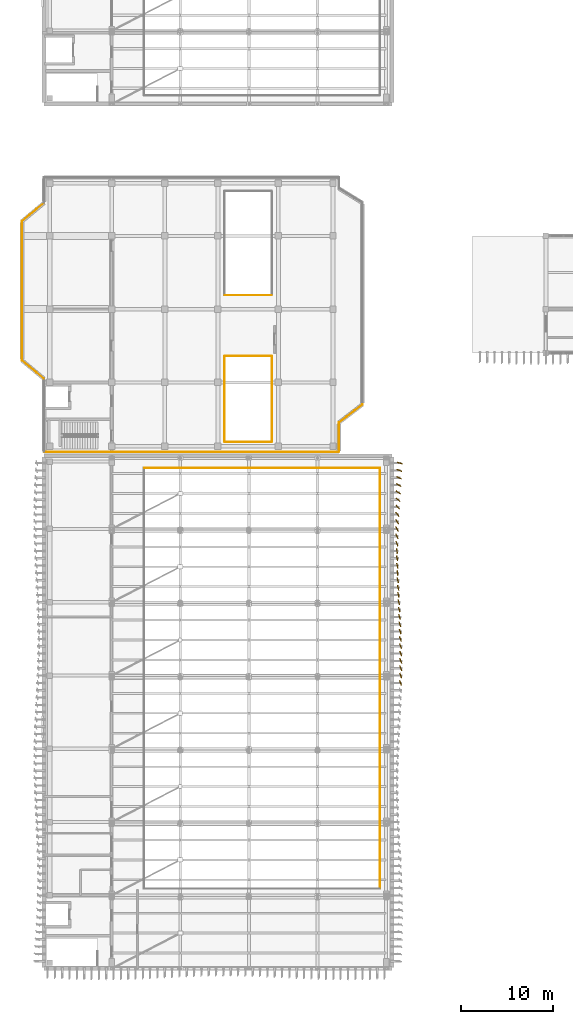
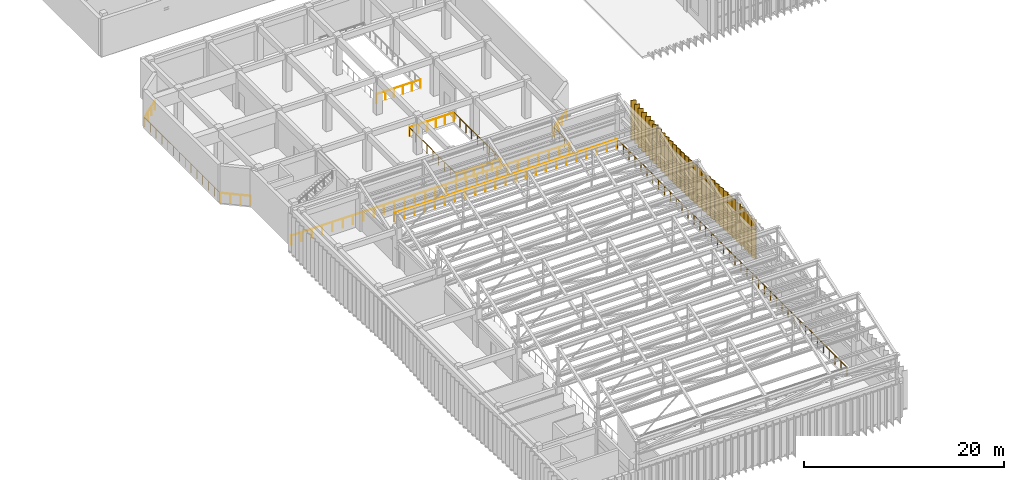
# One storey, part 67 of 76: 31 coverings, 13 railings.
"""IFC4 building model written with IfcOpenShell, lengths in metres."""

from ifc_helpers import new_model, si_unit, direction, frame, origin, origin_2d, place, context, subcontext, project, spatial, rectangle, circle, extrude, material, layer, layer_set, type_object, element, save


model = new_model("IFC4")

# Units and contexts
model_context = context("Model", 3, precision=1e-05, world=origin(), true_north=direction((0.0, 1.0)))
body_context = subcontext(model_context, "Body", "Model", "MODEL_VIEW")
ifc_project = project(units=[si_unit("LENGTHUNIT", "METRE"), si_unit("AREAUNIT", "SQUARE_METRE"), si_unit("VOLUMEUNIT", "CUBIC_METRE"), si_unit("PLANEANGLEUNIT", "RADIAN"), si_unit("MASSUNIT", "GRAM", prefix="KILO")], contexts=[model_context])

# Site, building, storey
site_placement = place(None, origin())
site = spatial("IfcSite", under=ifc_project, at=site_placement, CompositionType="ELEMENT")
building_placement = place(site_placement, origin())
building = spatial("IfcBuilding", under=site, at=building_placement, Name="Cinchona Park Media Centre", CompositionType="ELEMENT")
storey_placement = place(building_placement, frame((0.0, 0.0, 15.60009765625)))
storey = spatial("IfcBuildingStorey", under=building, at=storey_placement, Name="L03", CompositionType="ELEMENT", Elevation=15.60009765625)

# Coverings
ifc_material_1 = material(Name="Anodised Storm-Resistant Aluminium Fin", Category="aluminium")
ifc_layer = layer(ifc_material_1, 0.090087890625)
ifc_layer_set = layer_set([ifc_layer], Name="Anodised Storm-Resistant Aluminium Fin")
covering_type = type_object("IfcCoveringType", Name="CLADDING-FIN01", PredefinedType="CLADDING", material=ifc_layer_set)
for number, where, z_axis, x_axis, name in (
    (1, (46.931884765625, 38.800048828125, 0.0), (0.0, 0.0, 1.0), (-0.345298198999, 0.93849302276, 0.0), "Twisting Vertical Facade Fin L03"),
    (2, (46.947998046875, 39.60009765625, 0.0), (0.0, 0.0, 1.0), (-0.352984997999, 0.935628981588, 0.0), "Twisting Vertical Facade Fin L03"),
    (3, (46.9580078125, 40.39990234375, 0.0), (0.0, 0.0, 1.0), (-0.35739011009, 0.933955196575, 0.0), "Twisting Vertical Facade Fin L03"),
    (4, (46.9599609375, 41.199951171875, 0.0), (0.0, 0.0, 1.0), (-0.358205003565, 0.933642959284, 0.0), "Twisting Vertical Facade Fin L03"),
    (5, (46.9541015625, 42.0, 0.0), (0.0, 0.0, 1.0), (-0.355596387288, 0.93463961469, 0.0), "Twisting Vertical Facade Fin L03"),
    (6, (46.94091796875, 42.800048828125, 0.0), (0.0, 0.0, 1.0), (-0.349553375421, 0.936916451842, 0.0), "Twisting Vertical Facade Fin L03"),
    (7, (46.9208984375, 43.60009765625, 0.0), (0.0, 0.0, 1.0), (-0.340215433792, 0.940347520127, 0.0), "Twisting Vertical Facade Fin L03"),
    (8, (46.89501953125, 44.39990234375, 0.0), (0.0, 0.0, 1.0), (-0.327877517976, 0.944720240709, 0.0), "Twisting Vertical Facade Fin L03"),
    (9, (46.864013671875, 45.199951171875, 0.0), (0.0, 0.0, 1.0), (-0.312998047948, 0.949753769132, 0.0), "Twisting Vertical Facade Fin L03"),
    (10, (46.827880859375, 46.0, 0.0), (0.0, 0.0, 1.0), (-0.296208192067, 0.955123398809, 0.0), "Twisting Vertical Facade Fin L03"),
    (11, (46.7900390625, 46.800048828125, 0.0), (0.0, 0.0, 1.0), (-0.277985336053, 0.960585317887, 0.0), "Twisting Vertical Facade Fin L03"),
    (12, (46.75, 47.60009765625, 0.0), (0.0, 0.0, 1.0), (-0.258819045103, 0.965925826289, 0.0), "Twisting Vertical Facade Fin L03"),
    (13, (46.7099609375, 48.39990234375, 0.0), (0.0, 0.0, 1.0), (-0.239550296042, 0.970883955819, 0.0), "Twisting Vertical Facade Fin L03"),
    (14, (46.672119140625, 49.199951171875, 0.0), (0.0, 0.0, 1.0), (-0.221037880265, 0.975265223151, 0.0), "Twisting Vertical Facade Fin L03"),
    (15, (46.635986328125, 50.0, 0.0), (0.0, 0.0, 1.0), (-0.203812623708, 0.979009915383, 0.0), "Twisting Vertical Facade Fin L03"),
    (16, (46.60498046875, 50.800048828125, 0.0), (0.0, 0.0, 1.0), (-0.188409860458, 0.982090486912, 0.0), "Twisting Vertical Facade Fin L03"),
    (17, (46.5791015625, 51.60009765625, 0.0), (0.0, 0.0, 1.0), (-0.17553855164, 0.984472557712, 0.0), "Twisting Vertical Facade Fin L03"),
    (18, (46.55908203125, 52.39990234375, 0.0), (0.0, 0.0, 1.0), (-0.165736122828, 0.986170136229, 0.0), "Twisting Vertical Facade Fin L03"),
    (19, (46.5458984375, 53.199951171875, 0.0), (0.0, 0.0, 1.0), (-0.15936430246, 0.987219843349, 0.0), "Twisting Vertical Facade Fin L03"),
    (20, (46.5400390625, 54.0, 0.0), (0.0, 0.0, 1.0), (-0.318793887648, 0.947824064475, 0.0), "Twisting Vertical Facade Fin L03"),
    (21, (46.5419921875, 54.800048828125, 0.0), (0.0, 0.0, 1.0), (-0.400029137237, 0.916502421907, 0.0), "Twisting Vertical Facade Fin L03"),
    (22, (46.552001953125, 55.60009765625, 0.0), (0.0, 0.0, 1.0), (-0.478385354909, 0.878150016915, 0.0), "Twisting Vertical Facade Fin L03"),
    (23, (46.568115234375, 56.39990234375, 0.0), (0.0, 0.0, 1.0), (-0.552955356864, 0.833210881659, 0.0), "Twisting Vertical Facade Fin L03"),
    (24, (46.591064453125, 57.199951171875, 0.0), (0.0, 0.0, 1.0), (-0.623333840501, 0.781955832056, 0.0), "Twisting Vertical Facade Fin L03"),
    (25, (46.6201171875, 58.0, 0.0), (0.0, 0.0, 1.0), (-0.688987322062, 0.724773392198, 0.0), "Twisting Vertical Facade Fin L03"),
    (26, (46.654052734375, 58.800048828125, 0.0), (0.0, 0.0, 1.0), (-0.749418134297, 0.662097017051, 0.0), "Twisting Vertical Facade Fin L03"),
    (27, (46.69091796875, 59.60009765625, 0.0), (0.0, 0.0, 1.0), (-0.804271929332, 0.594261443885, 0.0), "Twisting Vertical Facade Fin L03"),
    (28, (46.72998046875, 60.39990234375, 0.0), (0.0, 0.0, 1.0), (-0.852913627072, 0.522052051767, 0.0), "Twisting Vertical Facade Fin L03"),
    (29, (46.77001953125, 61.199951171875, 0.0), (0.0, 0.0, 1.0), (-0.895090059495, 0.445885394908, 0.0), "Twisting Vertical Facade Fin L03"),
    (30, (46.80908203125, 62.0, 0.0), (0.0, 0.0, 1.0), (-0.930481520342, 0.366338832643, 0.0), "Twisting Vertical Facade Fin L03"),
    (31, (46.845947265625, 62.800048828125, 0.0), (0.0, 0.0, 1.0), (-0.958819734868, 0.284015344704, 0.0), "Twisting Vertical Facade Fin L03"),
):
    element("IfcCovering", number, at=place(storey_placement, frame(where, z_axis=z_axis, x_axis=x_axis)), inside=storey, type_object=covering_type, Name=name, PredefinedType="CLADDING", context=body_context, shape_type="SweptSolid", body=[
        extrude(rectangle(XDim=0.56005859375, YDim=0.090087890625, at=origin_2d()), origin(), (0.0, 0.0, 1.0), 4.800048828125),
    ])

# Railings
ifc_material_2 = material(Name="Galvanised Painted Steel Balustrade", Category="steel")
railing_type_1 = type_object("IfcRailingType", Name="RAILING-GR01", PredefinedType="BALUSTRADE", material=ifc_material_2)
railing_1_placement = place(storey_placement, frame((44.679931640625, 16.35205078125, 0.0)))
element("IfcRailing", 32, at=railing_1_placement, inside=storey, type_object=railing_type_1, Name="Atrium Balustrade GR01 VOID-L03-SAWV1 S2", PredefinedType="BALUSTRADE", context=body_context, shape_type="SweptSolid", body=[
    extrude(circle(Radius=0.02392578125, at=origin_2d()), frame((0.0, 0.0, 1.076171875), z_axis=(0.0, 1.0, 0.0), x_axis=(-1.0, 0.0, 0.0)), (0.0, 0.0, 1.0), 45.89599609375),
    extrude(circle(Radius=0.02099609375, at=origin_2d()), origin(), (0.0, 0.0, 1.0), 1.052001953125),
    extrude(circle(Radius=0.02099609375, at=origin_2d()), frame((0.0, 1.1767578125, 0.0)), (0.0, 0.0, 1.0), 1.052001953125),
    extrude(circle(Radius=0.02099609375, at=origin_2d()), frame((0.0, 2.353759765625, 0.0)), (0.0, 0.0, 1.0), 1.052001953125),
    extrude(circle(Radius=0.02099609375, at=origin_2d()), frame((0.0, 3.530517578125, 0.0)), (0.0, 0.0, 1.0), 1.052001953125),
    extrude(circle(Radius=0.02099609375, at=origin_2d()), frame((0.0, 4.707275390625, 0.0)), (0.0, 0.0, 1.0), 1.052001953125),
    extrude(circle(Radius=0.02099609375, at=origin_2d()), frame((0.0, 5.884033203125, 0.0)), (0.0, 0.0, 1.0), 1.052001953125),
    extrude(circle(Radius=0.02099609375, at=origin_2d()), frame((0.0, 7.06103515625, 0.0)), (0.0, 0.0, 1.0), 1.052001953125),
    extrude(circle(Radius=0.02099609375, at=origin_2d()), frame((0.0, 8.23779296875, 0.0)), (0.0, 0.0, 1.0), 1.052001953125),
    extrude(circle(Radius=0.02099609375, at=origin_2d()), frame((0.0, 9.41455078125, 0.0)), (0.0, 0.0, 1.0), 1.052001953125),
    extrude(circle(Radius=0.02099609375, at=origin_2d()), frame((0.0, 10.59130859375, 0.0)), (0.0, 0.0, 1.0), 1.052001953125),
    extrude(circle(Radius=0.02099609375, at=origin_2d()), frame((0.0, 11.768310546875, 0.0)), (0.0, 0.0, 1.0), 1.052001953125),
    extrude(circle(Radius=0.02099609375, at=origin_2d()), frame((0.0, 12.945068359375, 0.0)), (0.0, 0.0, 1.0), 1.052001953125),
    extrude(circle(Radius=0.02099609375, at=origin_2d()), frame((0.0, 14.121826171875, 0.0)), (0.0, 0.0, 1.0), 1.052001953125),
    extrude(circle(Radius=0.02099609375, at=origin_2d()), frame((0.0, 15.298583984375, 0.0)), (0.0, 0.0, 1.0), 1.052001953125),
    extrude(circle(Radius=0.02099609375, at=origin_2d()), frame((0.0, 16.4755859375, 0.0)), (0.0, 0.0, 1.0), 1.052001953125),
    extrude(circle(Radius=0.02099609375, at=origin_2d()), frame((0.0, 17.65234375, 0.0)), (0.0, 0.0, 1.0), 1.052001953125),
    extrude(circle(Radius=0.02099609375, at=origin_2d()), frame((0.0, 18.8291015625, 0.0)), (0.0, 0.0, 1.0), 1.052001953125),
    extrude(circle(Radius=0.02099609375, at=origin_2d()), frame((0.0, 20.005859375, 0.0)), (0.0, 0.0, 1.0), 1.052001953125),
    extrude(circle(Radius=0.02099609375, at=origin_2d()), frame((0.0, 21.182861328125, 0.0)), (0.0, 0.0, 1.0), 1.052001953125),
    extrude(circle(Radius=0.02099609375, at=origin_2d()), frame((0.0, 22.359619140625, 0.0)), (0.0, 0.0, 1.0), 1.052001953125),
    extrude(circle(Radius=0.02099609375, at=origin_2d()), frame((0.0, 23.536376953125, 0.0)), (0.0, 0.0, 1.0), 1.052001953125),
    extrude(circle(Radius=0.02099609375, at=origin_2d()), frame((0.0, 24.713134765625, 0.0)), (0.0, 0.0, 1.0), 1.052001953125),
    extrude(circle(Radius=0.02099609375, at=origin_2d()), frame((0.0, 25.89013671875, 0.0)), (0.0, 0.0, 1.0), 1.052001953125),
    extrude(circle(Radius=0.02099609375, at=origin_2d()), frame((0.0, 27.06689453125, 0.0)), (0.0, 0.0, 1.0), 1.052001953125),
    extrude(circle(Radius=0.02099609375, at=origin_2d()), frame((0.0, 28.24365234375, 0.0)), (0.0, 0.0, 1.0), 1.052001953125),
    extrude(circle(Radius=0.02099609375, at=origin_2d()), frame((0.0, 29.42041015625, 0.0)), (0.0, 0.0, 1.0), 1.052001953125),
    extrude(circle(Radius=0.02099609375, at=origin_2d()), frame((0.0, 30.597412109375, 0.0)), (0.0, 0.0, 1.0), 1.052001953125),
    extrude(circle(Radius=0.02099609375, at=origin_2d()), frame((0.0, 31.774169921875, 0.0)), (0.0, 0.0, 1.0), 1.052001953125),
    extrude(circle(Radius=0.02099609375, at=origin_2d()), frame((0.0, 32.950927734375, 0.0)), (0.0, 0.0, 1.0), 1.052001953125),
    extrude(circle(Radius=0.02099609375, at=origin_2d()), frame((0.0, 34.127685546875, 0.0)), (0.0, 0.0, 1.0), 1.052001953125),
    extrude(circle(Radius=0.02099609375, at=origin_2d()), frame((0.0, 35.3046875, 0.0)), (0.0, 0.0, 1.0), 1.052001953125),
    extrude(circle(Radius=0.02099609375, at=origin_2d()), frame((0.0, 36.4814453125, 0.0)), (0.0, 0.0, 1.0), 1.052001953125),
    extrude(circle(Radius=0.02099609375, at=origin_2d()), frame((0.0, 37.658203125, 0.0)), (0.0, 0.0, 1.0), 1.052001953125),
    extrude(circle(Radius=0.02099609375, at=origin_2d()), frame((0.0, 38.8349609375, 0.0)), (0.0, 0.0, 1.0), 1.052001953125),
    extrude(circle(Radius=0.02099609375, at=origin_2d()), frame((0.0, 40.011962890625, 0.0)), (0.0, 0.0, 1.0), 1.052001953125),
    extrude(circle(Radius=0.02099609375, at=origin_2d()), frame((0.0, 41.188720703125, 0.0)), (0.0, 0.0, 1.0), 1.052001953125),
    extrude(circle(Radius=0.02099609375, at=origin_2d()), frame((0.0, 42.365478515625, 0.0)), (0.0, 0.0, 1.0), 1.052001953125),
    extrude(circle(Radius=0.02099609375, at=origin_2d()), frame((0.0, 43.542236328125, 0.0)), (0.0, 0.0, 1.0), 1.052001953125),
    extrude(circle(Radius=0.02099609375, at=origin_2d()), frame((0.0, 44.71923828125, 0.0)), (0.0, 0.0, 1.0), 1.052001953125),
    extrude(circle(Radius=0.02099609375, at=origin_2d()), frame((0.0, 45.89599609375, 0.0)), (0.0, 0.0, 1.0), 1.052001953125),
])
railing_2_placement = place(storey_placement, frame((44.64794921875, 62.280029296875, 0.0)))
element("IfcRailing", 33, at=railing_2_placement, inside=storey, type_object=railing_type_1, Name="Atrium Balustrade GR01 VOID-L03-SAWV1 S3", PredefinedType="BALUSTRADE", context=body_context, shape_type="SweptSolid", body=[
    extrude(circle(Radius=0.02392578125, at=origin_2d()), frame((0.0, 0.0, 1.076171875), z_axis=(-1.0, 0.0, 0.0), x_axis=(0.0, -1.0, 0.0)), (0.0, 0.0, 1.0), 25.696044921875),
    extrude(circle(Radius=0.02099609375, at=origin_2d()), origin(), (0.0, 0.0, 1.0), 1.052001953125),
    extrude(circle(Radius=0.02099609375, at=origin_2d()), frame((-1.16796875, 0.0, 0.0)), (0.0, 0.0, 1.0), 1.052001953125),
    extrude(circle(Radius=0.02099609375, at=origin_2d()), frame((-2.3359375, 0.0, 0.0)), (0.0, 0.0, 1.0), 1.052001953125),
    extrude(circle(Radius=0.02099609375, at=origin_2d()), frame((-3.50390625, 0.0, 0.0)), (0.0, 0.0, 1.0), 1.052001953125),
    extrude(circle(Radius=0.02099609375, at=origin_2d()), frame((-4.672119140625, 0.0, 0.0)), (0.0, 0.0, 1.0), 1.052001953125),
    extrude(circle(Radius=0.02099609375, at=origin_2d()), frame((-5.840087890625, 0.0, 0.0)), (0.0, 0.0, 1.0), 1.052001953125),
    extrude(circle(Radius=0.02099609375, at=origin_2d()), frame((-7.008056640625, 0.0, 0.0)), (0.0, 0.0, 1.0), 1.052001953125),
    extrude(circle(Radius=0.02099609375, at=origin_2d()), frame((-8.176025390625, 0.0, 0.0)), (0.0, 0.0, 1.0), 1.052001953125),
    extrude(circle(Radius=0.02099609375, at=origin_2d()), frame((-9.343994140625, 0.0, 0.0)), (0.0, 0.0, 1.0), 1.052001953125),
    extrude(circle(Radius=0.02099609375, at=origin_2d()), frame((-10.511962890625, 0.0, 0.0)), (0.0, 0.0, 1.0), 1.052001953125),
    extrude(circle(Radius=0.02099609375, at=origin_2d()), frame((-11.679931640625, 0.0, 0.0)), (0.0, 0.0, 1.0), 1.052001953125),
    extrude(circle(Radius=0.02099609375, at=origin_2d()), frame((-12.84814453125, 0.0, 0.0)), (0.0, 0.0, 1.0), 1.052001953125),
    extrude(circle(Radius=0.02099609375, at=origin_2d()), frame((-14.01611328125, 0.0, 0.0)), (0.0, 0.0, 1.0), 1.052001953125),
    extrude(circle(Radius=0.02099609375, at=origin_2d()), frame((-15.18408203125, 0.0, 0.0)), (0.0, 0.0, 1.0), 1.052001953125),
    extrude(circle(Radius=0.02099609375, at=origin_2d()), frame((-16.35205078125, 0.0, 0.0)), (0.0, 0.0, 1.0), 1.052001953125),
    extrude(circle(Radius=0.02099609375, at=origin_2d()), frame((-17.52001953125, 0.0, 0.0)), (0.0, 0.0, 1.0), 1.052001953125),
    extrude(circle(Radius=0.02099609375, at=origin_2d()), frame((-18.68798828125, 0.0, 0.0)), (0.0, 0.0, 1.0), 1.052001953125),
    extrude(circle(Radius=0.02099609375, at=origin_2d()), frame((-19.85595703125, 0.0, 0.0)), (0.0, 0.0, 1.0), 1.052001953125),
    extrude(circle(Radius=0.02099609375, at=origin_2d()), frame((-21.02392578125, 0.0, 0.0)), (0.0, 0.0, 1.0), 1.052001953125),
    extrude(circle(Radius=0.02099609375, at=origin_2d()), frame((-22.192138671875, 0.0, 0.0)), (0.0, 0.0, 1.0), 1.052001953125),
    extrude(circle(Radius=0.02099609375, at=origin_2d()), frame((-23.360107421875, 0.0, 0.0)), (0.0, 0.0, 1.0), 1.052001953125),
    extrude(circle(Radius=0.02099609375, at=origin_2d()), frame((-24.528076171875, 0.0, 0.0)), (0.0, 0.0, 1.0), 1.052001953125),
    extrude(circle(Radius=0.02099609375, at=origin_2d()), frame((-25.696044921875, 0.0, 0.0)), (0.0, 0.0, 1.0), 1.052001953125),
])
railing_3_placement = place(storey_placement, frame((27.751953125, 65.1201171875, 0.0)))
element("IfcRailing", 34, at=railing_3_placement, inside=storey, type_object=railing_type_1, Name="Atrium Balustrade GR01 VOID-L03-CIN4 S1", PredefinedType="BALUSTRADE", context=body_context, shape_type="SweptSolid", body=[
    extrude(circle(Radius=0.02392578125, at=origin_2d()), frame((0.0, 0.0, 1.076171875), z_axis=(1.0, 0.0, 0.0), x_axis=(0.0, 1.0, 0.0)), (0.0, 0.0, 1.0), 5.095947265625),
    extrude(circle(Radius=0.02099609375, at=origin_2d()), origin(), (0.0, 0.0, 1.0), 1.052001953125),
    extrude(circle(Radius=0.02099609375, at=origin_2d()), frame((1.019287109375, 0.0, 0.0)), (0.0, 0.0, 1.0), 1.052001953125),
    extrude(circle(Radius=0.02099609375, at=origin_2d()), frame((2.038330078125, 0.0, 0.0)), (0.0, 0.0, 1.0), 1.052001953125),
    extrude(circle(Radius=0.02099609375, at=origin_2d()), frame((3.0576171875, 0.0, 0.0)), (0.0, 0.0, 1.0), 1.052001953125),
    extrude(circle(Radius=0.02099609375, at=origin_2d()), frame((4.07666015625, 0.0, 0.0)), (0.0, 0.0, 1.0), 1.052001953125),
    extrude(circle(Radius=0.02099609375, at=origin_2d()), frame((5.095947265625, 0.0, 0.0)), (0.0, 0.0, 1.0), 1.052001953125),
])
railing_4_placement = place(storey_placement, frame((32.8798828125, 65.152099609375, 0.0)))
element("IfcRailing", 35, at=railing_4_placement, inside=storey, type_object=railing_type_1, Name="Atrium Balustrade GR01 VOID-L03-CIN4 S2", PredefinedType="BALUSTRADE", context=body_context, shape_type="SweptSolid", body=[
    extrude(circle(Radius=0.02392578125, at=origin_2d()), frame((0.0, 0.0, 1.076171875), z_axis=(0.0, 1.0, 0.0), x_axis=(-1.0, 0.0, 0.0)), (0.0, 0.0, 1.0), 9.2958984375),
    extrude(circle(Radius=0.02099609375, at=origin_2d()), origin(), (0.0, 0.0, 1.0), 1.052001953125),
    extrude(circle(Radius=0.02099609375, at=origin_2d()), frame((0.0, 1.162109375, 0.0)), (0.0, 0.0, 1.0), 1.052001953125),
    extrude(circle(Radius=0.02099609375, at=origin_2d()), frame((0.0, 2.323974609375, 0.0)), (0.0, 0.0, 1.0), 1.052001953125),
    extrude(circle(Radius=0.02099609375, at=origin_2d()), frame((0.0, 3.48583984375, 0.0)), (0.0, 0.0, 1.0), 1.052001953125),
    extrude(circle(Radius=0.02099609375, at=origin_2d()), frame((0.0, 4.64794921875, 0.0)), (0.0, 0.0, 1.0), 1.052001953125),
    extrude(circle(Radius=0.02099609375, at=origin_2d()), frame((0.0, 5.81005859375, 0.0)), (0.0, 0.0, 1.0), 1.052001953125),
    extrude(circle(Radius=0.02099609375, at=origin_2d()), frame((0.0, 6.971923828125, 0.0)), (0.0, 0.0, 1.0), 1.052001953125),
    extrude(circle(Radius=0.02099609375, at=origin_2d()), frame((0.0, 8.1337890625, 0.0)), (0.0, 0.0, 1.0), 1.052001953125),
    extrude(circle(Radius=0.02099609375, at=origin_2d()), frame((0.0, 9.2958984375, 0.0)), (0.0, 0.0, 1.0), 1.052001953125),
])
railing_5_placement = place(storey_placement, frame((32.847900390625, 74.47998046875, 0.0)))
element("IfcRailing", 36, at=railing_5_placement, inside=storey, type_object=railing_type_1, Name="Atrium Balustrade GR01 VOID-L03-CIN4 S3", PredefinedType="BALUSTRADE", context=body_context, shape_type="SweptSolid", body=[
    extrude(circle(Radius=0.02392578125, at=origin_2d()), frame((0.0, 0.0, 1.076171875), z_axis=(-1.0, 0.0, 0.0), x_axis=(0.0, -1.0, 0.0)), (0.0, 0.0, 1.0), 5.095947265625),
    extrude(circle(Radius=0.02099609375, at=origin_2d()), origin(), (0.0, 0.0, 1.0), 1.052001953125),
    extrude(circle(Radius=0.02099609375, at=origin_2d()), frame((-1.019287109375, 0.0, 0.0)), (0.0, 0.0, 1.0), 1.052001953125),
    extrude(circle(Radius=0.02099609375, at=origin_2d()), frame((-2.038330078125, 0.0, 0.0)), (0.0, 0.0, 1.0), 1.052001953125),
    extrude(circle(Radius=0.02099609375, at=origin_2d()), frame((-3.0576171875, 0.0, 0.0)), (0.0, 0.0, 1.0), 1.052001953125),
    extrude(circle(Radius=0.02099609375, at=origin_2d()), frame((-4.07666015625, 0.0, 0.0)), (0.0, 0.0, 1.0), 1.052001953125),
    extrude(circle(Radius=0.02099609375, at=origin_2d()), frame((-5.095947265625, 0.0, 0.0)), (0.0, 0.0, 1.0), 1.052001953125),
])
railing_6_placement = place(storey_placement, frame((27.719970703125, 74.447998046875, 0.0)))
element("IfcRailing", 37, at=railing_6_placement, inside=storey, type_object=railing_type_1, Name="Atrium Balustrade GR01 VOID-L03-CIN4 S4", PredefinedType="BALUSTRADE", context=body_context, shape_type="SweptSolid", body=[
    extrude(circle(Radius=0.02392578125, at=origin_2d()), frame((0.0, 0.0, 1.076171875), z_axis=(0.0, -1.0, 0.0), x_axis=(1.0, 0.0, 0.0)), (0.0, 0.0, 1.0), 9.2958984375),
    extrude(circle(Radius=0.02099609375, at=origin_2d()), origin(), (0.0, 0.0, 1.0), 1.052001953125),
    extrude(circle(Radius=0.02099609375, at=origin_2d()), frame((0.0, -1.162109375, 0.0)), (0.0, 0.0, 1.0), 1.052001953125),
    extrude(circle(Radius=0.02099609375, at=origin_2d()), frame((0.0, -2.323974609375, 0.0)), (0.0, 0.0, 1.0), 1.052001953125),
    extrude(circle(Radius=0.02099609375, at=origin_2d()), frame((0.0, -3.48583984375, 0.0)), (0.0, 0.0, 1.0), 1.052001953125),
    extrude(circle(Radius=0.02099609375, at=origin_2d()), frame((0.0, -4.64794921875, 0.0)), (0.0, 0.0, 1.0), 1.052001953125),
    extrude(circle(Radius=0.02099609375, at=origin_2d()), frame((0.0, -5.81005859375, 0.0)), (0.0, 0.0, 1.0), 1.052001953125),
    extrude(circle(Radius=0.02099609375, at=origin_2d()), frame((0.0, -6.971923828125, 0.0)), (0.0, 0.0, 1.0), 1.052001953125),
    extrude(circle(Radius=0.02099609375, at=origin_2d()), frame((0.0, -8.1337890625, 0.0)), (0.0, 0.0, 1.0), 1.052001953125),
    extrude(circle(Radius=0.02099609375, at=origin_2d()), frame((0.0, -9.2958984375, 0.0)), (0.0, 0.0, 1.0), 1.052001953125),
])
railing_7_placement = place(storey_placement, frame((27.751953125, 81.1201171875, 0.0)))
element("IfcRailing", 38, at=railing_7_placement, inside=storey, type_object=railing_type_1, Name="Atrium Balustrade GR01 VOID-L03-CIN5 S1", PredefinedType="BALUSTRADE", context=body_context, shape_type="SweptSolid", body=[
    extrude(circle(Radius=0.02392578125, at=origin_2d()), frame((0.0, 0.0, 1.076171875), z_axis=(1.0, 0.0, 0.0), x_axis=(0.0, 1.0, 0.0)), (0.0, 0.0, 1.0), 5.095947265625),
    extrude(circle(Radius=0.02099609375, at=origin_2d()), origin(), (0.0, 0.0, 1.0), 1.052001953125),
    extrude(circle(Radius=0.02099609375, at=origin_2d()), frame((1.019287109375, 0.0, 0.0)), (0.0, 0.0, 1.0), 1.052001953125),
    extrude(circle(Radius=0.02099609375, at=origin_2d()), frame((2.038330078125, 0.0, 0.0)), (0.0, 0.0, 1.0), 1.052001953125),
    extrude(circle(Radius=0.02099609375, at=origin_2d()), frame((3.0576171875, 0.0, 0.0)), (0.0, 0.0, 1.0), 1.052001953125),
    extrude(circle(Radius=0.02099609375, at=origin_2d()), frame((4.07666015625, 0.0, 0.0)), (0.0, 0.0, 1.0), 1.052001953125),
    extrude(circle(Radius=0.02099609375, at=origin_2d()), frame((5.095947265625, 0.0, 0.0)), (0.0, 0.0, 1.0), 1.052001953125),
])
ifc_material_3 = material(Name="Painted Steel Stairwell Guardrail", Category="steel")
railing_type_2 = type_object("IfcRailingType", Name="RAILING-GR02", PredefinedType="GUARDRAIL", material=ifc_material_3)
railing_8_placement = place(storey_placement, frame((8.031982421875, 64.0, 0.0)))
element("IfcRailing", 39, at=railing_8_placement, inside=storey, type_object=railing_type_2, Name="Auditorium Wedge Perimeter Guardrail GR02 L03 S1", PredefinedType="GUARDRAIL", context=body_context, shape_type="SweptSolid", body=[
    extrude(circle(Radius=0.02392578125, at=origin_2d()), frame((0.0, 0.0, 1.09619140625), z_axis=(1.0, 0.0, 0.0), x_axis=(0.0, 1.0, 0.0)), (0.0, 0.0, 1.0), 32.135986328125),
    extrude(circle(Radius=0.02099609375, at=origin_2d()), origin(), (0.0, 0.0, 1.0), 1.072021484375),
    extrude(circle(Radius=0.02099609375, at=origin_2d()), frame((1.190185546875, 0.0, 0.0)), (0.0, 0.0, 1.0), 1.072021484375),
    extrude(circle(Radius=0.02099609375, at=origin_2d()), frame((2.38037109375, 0.0, 0.0)), (0.0, 0.0, 1.0), 1.072021484375),
    extrude(circle(Radius=0.02099609375, at=origin_2d()), frame((3.570556640625, 0.0, 0.0)), (0.0, 0.0, 1.0), 1.072021484375),
    extrude(circle(Radius=0.02099609375, at=origin_2d()), frame((4.760986328125, 0.0, 0.0)), (0.0, 0.0, 1.0), 1.072021484375),
    extrude(circle(Radius=0.02099609375, at=origin_2d()), frame((5.951171875, 0.0, 0.0)), (0.0, 0.0, 1.0), 1.072021484375),
    extrude(circle(Radius=0.02099609375, at=origin_2d()), frame((7.141357421875, 0.0, 0.0)), (0.0, 0.0, 1.0), 1.072021484375),
    extrude(circle(Radius=0.02099609375, at=origin_2d()), frame((8.33154296875, 0.0, 0.0)), (0.0, 0.0, 1.0), 1.072021484375),
    extrude(circle(Radius=0.02099609375, at=origin_2d()), frame((9.521728515625, 0.0, 0.0)), (0.0, 0.0, 1.0), 1.072021484375),
    extrude(circle(Radius=0.02099609375, at=origin_2d()), frame((10.7119140625, 0.0, 0.0)), (0.0, 0.0, 1.0), 1.072021484375),
    extrude(circle(Radius=0.02099609375, at=origin_2d()), frame((11.902099609375, 0.0, 0.0)), (0.0, 0.0, 1.0), 1.072021484375),
    extrude(circle(Radius=0.02099609375, at=origin_2d()), frame((13.092529296875, 0.0, 0.0)), (0.0, 0.0, 1.0), 1.072021484375),
    extrude(circle(Radius=0.02099609375, at=origin_2d()), frame((14.28271484375, 0.0, 0.0)), (0.0, 0.0, 1.0), 1.072021484375),
    extrude(circle(Radius=0.02099609375, at=origin_2d()), frame((15.472900390625, 0.0, 0.0)), (0.0, 0.0, 1.0), 1.072021484375),
    extrude(circle(Radius=0.02099609375, at=origin_2d()), frame((16.6630859375, 0.0, 0.0)), (0.0, 0.0, 1.0), 1.072021484375),
    extrude(circle(Radius=0.02099609375, at=origin_2d()), frame((17.853271484375, 0.0, 0.0)), (0.0, 0.0, 1.0), 1.072021484375),
    extrude(circle(Radius=0.02099609375, at=origin_2d()), frame((19.04345703125, 0.0, 0.0)), (0.0, 0.0, 1.0), 1.072021484375),
    extrude(circle(Radius=0.02099609375, at=origin_2d()), frame((20.23388671875, 0.0, 0.0)), (0.0, 0.0, 1.0), 1.072021484375),
    extrude(circle(Radius=0.02099609375, at=origin_2d()), frame((21.424072265625, 0.0, 0.0)), (0.0, 0.0, 1.0), 1.072021484375),
    extrude(circle(Radius=0.02099609375, at=origin_2d()), frame((22.6142578125, 0.0, 0.0)), (0.0, 0.0, 1.0), 1.072021484375),
    extrude(circle(Radius=0.02099609375, at=origin_2d()), frame((23.804443359375, 0.0, 0.0)), (0.0, 0.0, 1.0), 1.072021484375),
    extrude(circle(Radius=0.02099609375, at=origin_2d()), frame((24.99462890625, 0.0, 0.0)), (0.0, 0.0, 1.0), 1.072021484375),
    extrude(circle(Radius=0.02099609375, at=origin_2d()), frame((26.184814453125, 0.0, 0.0)), (0.0, 0.0, 1.0), 1.072021484375),
    extrude(circle(Radius=0.02099609375, at=origin_2d()), frame((27.375, 0.0, 0.0)), (0.0, 0.0, 1.0), 1.072021484375),
    extrude(circle(Radius=0.02099609375, at=origin_2d()), frame((28.5654296875, 0.0, 0.0)), (0.0, 0.0, 1.0), 1.072021484375),
    extrude(circle(Radius=0.02099609375, at=origin_2d()), frame((29.755615234375, 0.0, 0.0)), (0.0, 0.0, 1.0), 1.072021484375),
    extrude(circle(Radius=0.02099609375, at=origin_2d()), frame((30.94580078125, 0.0, 0.0)), (0.0, 0.0, 1.0), 1.072021484375),
    extrude(circle(Radius=0.02099609375, at=origin_2d()), frame((32.135986328125, 0.0, 0.0)), (0.0, 0.0, 1.0), 1.072021484375),
])
railing_9_placement = place(storey_placement, frame((40.199951171875, 64.031982421875, 0.0)))
element("IfcRailing", 40, at=railing_9_placement, inside=storey, type_object=railing_type_2, Name="Auditorium Wedge Perimeter Guardrail GR02 L03 S2", PredefinedType="GUARDRAIL", context=body_context, shape_type="SweptSolid", body=[
    extrude(circle(Radius=0.02392578125, at=origin_2d()), frame((0.0, 0.0, 1.09619140625), z_axis=(0.0, 1.0, 0.0), x_axis=(-1.0, 0.0, 0.0)), (0.0, 0.0, 1.0), 3.135986328125),
    extrude(circle(Radius=0.02099609375, at=origin_2d()), origin(), (0.0, 0.0, 1.0), 1.072021484375),
    extrude(circle(Radius=0.02099609375, at=origin_2d()), frame((0.0, 1.04541015625, 0.0)), (0.0, 0.0, 1.0), 1.072021484375),
    extrude(circle(Radius=0.02099609375, at=origin_2d()), frame((0.0, 2.090576171875, 0.0)), (0.0, 0.0, 1.0), 1.072021484375),
    extrude(circle(Radius=0.02099609375, at=origin_2d()), frame((0.0, 3.135986328125, 0.0)), (0.0, 0.0, 1.0), 1.072021484375),
])
railing_10_placement = place(storey_placement, frame((40.22509765625, 67.219970703125, 0.0)))
element("IfcRailing", 41, at=railing_10_placement, inside=storey, type_object=railing_type_2, Name="Auditorium Wedge Perimeter Guardrail GR02 L03 S3", PredefinedType="GUARDRAIL", context=body_context, shape_type="SweptSolid", body=[
    extrude(circle(Radius=0.02392578125, at=origin_2d()), frame((0.0, 0.0, 1.09619140625), z_axis=(0.792838416279, 0.609431904049, 0.0), x_axis=(-0.609431904049, 0.792838416279, 0.0)), (0.0, 0.0, 1.0), 3.216064453125),
    extrude(circle(Radius=0.02099609375, at=origin_2d()), origin(), (0.0, 0.0, 1.0), 1.072021484375),
    extrude(circle(Radius=0.02099609375, at=origin_2d()), frame((0.849853515625, 0.6533203125, 0.0)), (0.0, 0.0, 1.0), 1.072021484375),
    extrude(circle(Radius=0.02099609375, at=origin_2d()), frame((1.699951171875, 1.306640625, 0.0)), (0.0, 0.0, 1.0), 1.072021484375),
    extrude(circle(Radius=0.02099609375, at=origin_2d()), frame((2.5498046875, 1.9599609375, 0.0)), (0.0, 0.0, 1.0), 1.072021484375),
])
railing_11_placement = place(storey_placement, frame((7.97509765625, 91.179931640625, 0.0)))
element("IfcRailing", 42, at=railing_11_placement, inside=storey, type_object=railing_type_2, Name="Auditorium Wedge Perimeter Guardrail GR02 L03 S9", PredefinedType="GUARDRAIL", context=body_context, shape_type="SweptSolid", body=[
    extrude(circle(Radius=0.02392578125, at=origin_2d()), frame((0.0, 0.0, 1.09619140625), z_axis=(-0.767972723261, -0.640482549588, 0.0), x_axis=(0.640482549588, -0.767972723261, 0.0)), (0.0, 0.0, 1.0), 3.06005859375),
    extrude(circle(Radius=0.02099609375, at=origin_2d()), origin(), (0.0, 0.0, 1.0), 1.072021484375),
    extrude(circle(Radius=0.02099609375, at=origin_2d()), frame((-0.783447265625, -0.6533203125, 0.0)), (0.0, 0.0, 1.0), 1.072021484375),
    extrude(circle(Radius=0.02099609375, at=origin_2d()), frame((-1.566650390625, -1.306640625, 0.0)), (0.0, 0.0, 1.0), 1.072021484375),
    extrude(circle(Radius=0.02099609375, at=origin_2d()), frame((-2.35009765625, -1.9599609375, 0.0)), (0.0, 0.0, 1.0), 1.072021484375),
])
railing_12_placement = place(storey_placement, frame((5.60009765625, 89.16796875, 0.0)))
element("IfcRailing", 43, at=railing_12_placement, inside=storey, type_object=railing_type_2, Name="Auditorium Wedge Perimeter Guardrail GR02 L03 S10", PredefinedType="GUARDRAIL", context=body_context, shape_type="SweptSolid", body=[
    extrude(circle(Radius=0.02392578125, at=origin_2d()), frame((0.0, 0.0, 1.09619140625), z_axis=(0.0, -1.0, 0.0), x_axis=(1.0, 0.0, 0.0)), (0.0, 0.0, 1.0), 15.135986328125),
    extrude(circle(Radius=0.02099609375, at=origin_2d()), origin(), (0.0, 0.0, 1.0), 1.072021484375),
    extrude(circle(Radius=0.02099609375, at=origin_2d()), frame((0.0, -1.164306640625, 0.0)), (0.0, 0.0, 1.0), 1.072021484375),
    extrude(circle(Radius=0.02099609375, at=origin_2d()), frame((0.0, -2.32861328125, 0.0)), (0.0, 0.0, 1.0), 1.072021484375),
    extrude(circle(Radius=0.02099609375, at=origin_2d()), frame((0.0, -3.492919921875, 0.0)), (0.0, 0.0, 1.0), 1.072021484375),
    extrude(circle(Radius=0.02099609375, at=origin_2d()), frame((0.0, -4.6572265625, 0.0)), (0.0, 0.0, 1.0), 1.072021484375),
    extrude(circle(Radius=0.02099609375, at=origin_2d()), frame((0.0, -5.821533203125, 0.0)), (0.0, 0.0, 1.0), 1.072021484375),
    extrude(circle(Radius=0.02099609375, at=origin_2d()), frame((0.0, -6.98583984375, 0.0)), (0.0, 0.0, 1.0), 1.072021484375),
    extrude(circle(Radius=0.02099609375, at=origin_2d()), frame((0.0, -8.150146484375, 0.0)), (0.0, 0.0, 1.0), 1.072021484375),
    extrude(circle(Radius=0.02099609375, at=origin_2d()), frame((0.0, -9.314453125, 0.0)), (0.0, 0.0, 1.0), 1.072021484375),
    extrude(circle(Radius=0.02099609375, at=origin_2d()), frame((0.0, -10.478759765625, 0.0)), (0.0, 0.0, 1.0), 1.072021484375),
    extrude(circle(Radius=0.02099609375, at=origin_2d()), frame((0.0, -11.64306640625, 0.0)), (0.0, 0.0, 1.0), 1.072021484375),
    extrude(circle(Radius=0.02099609375, at=origin_2d()), frame((0.0, -12.807373046875, 0.0)), (0.0, 0.0, 1.0), 1.072021484375),
    extrude(circle(Radius=0.02099609375, at=origin_2d()), frame((0.0, -13.9716796875, 0.0)), (0.0, 0.0, 1.0), 1.072021484375),
    extrude(circle(Radius=0.02099609375, at=origin_2d()), frame((0.0, -15.135986328125, 0.0)), (0.0, 0.0, 1.0), 1.072021484375),
])
railing_13_placement = place(storey_placement, frame((5.625, 73.97998046875, 0.0)))
element("IfcRailing", 44, at=railing_13_placement, inside=storey, type_object=railing_type_2, Name="Auditorium Wedge Perimeter Guardrail GR02 L03 S11", PredefinedType="GUARDRAIL", context=body_context, shape_type="SweptSolid", body=[
    extrude(circle(Radius=0.02392578125, at=origin_2d()), frame((0.0, 0.0, 1.09619140625), z_axis=(0.767972723261, -0.640482549588, 0.0), x_axis=(0.640482549588, 0.767972723261, 0.0)), (0.0, 0.0, 1.0), 3.06005859375),
    extrude(circle(Radius=0.02099609375, at=origin_2d()), origin(), (0.0, 0.0, 1.0), 1.072021484375),
    extrude(circle(Radius=0.02099609375, at=origin_2d()), frame((0.783447265625, -0.6533203125, 0.0)), (0.0, 0.0, 1.0), 1.072021484375),
    extrude(circle(Radius=0.02099609375, at=origin_2d()), frame((1.566650390625, -1.306640625, 0.0)), (0.0, 0.0, 1.0), 1.072021484375),
    extrude(circle(Radius=0.02099609375, at=origin_2d()), frame((2.35009765625, -1.9599609375, 0.0)), (0.0, 0.0, 1.0), 1.072021484375),
])

save(model, "model.ifc")
